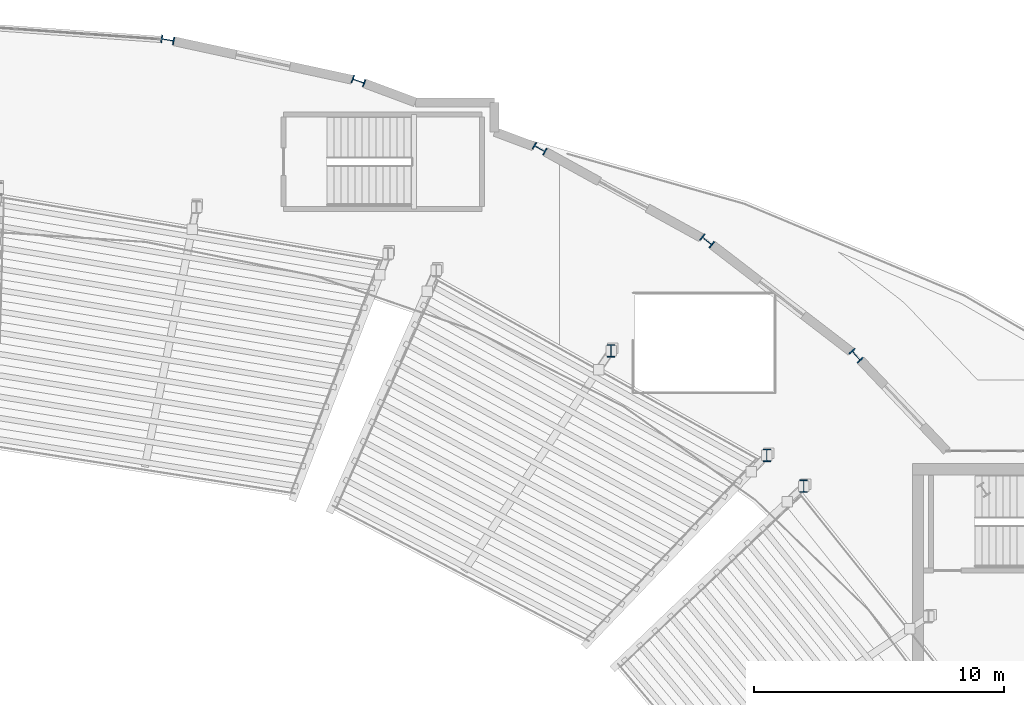
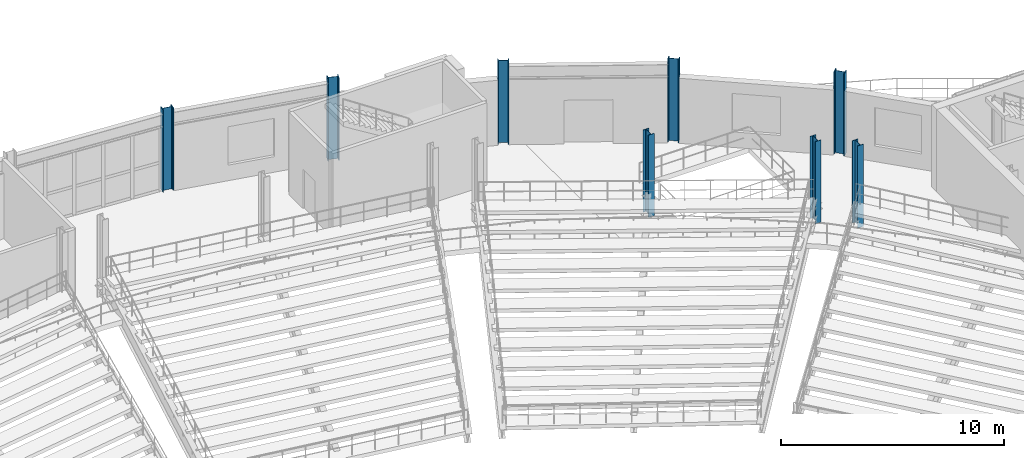
# One storey, part 13 of 81: 8 columns.
"""IFC4 building model written with IfcOpenShell, lengths in metres."""

from ifc_helpers import new_model, si_unit, direction, frame, origin, origin_2d, place, context, subcontext, project, spatial, i_section, extrude, material, material_profile, profile_set, type_object, element, save


model = new_model("IFC4")

# Units and contexts
model_context = context("Model", 3, precision=1e-05, world=origin(), true_north=direction((0.0, 1.0)))
body_context = subcontext(model_context, "Body", "Model", "MODEL_VIEW")
ifc_project = project(units=[si_unit("LENGTHUNIT", "METRE"), si_unit("AREAUNIT", "SQUARE_METRE"), si_unit("VOLUMEUNIT", "CUBIC_METRE"), si_unit("PLANEANGLEUNIT", "RADIAN"), si_unit("MASSUNIT", "GRAM", prefix="KILO")], contexts=[model_context])

# Site, building, storey
site_placement = place(None, origin())
site = spatial("IfcSite", under=ifc_project, at=site_placement, CompositionType="ELEMENT")
building_placement = place(site_placement, origin())
building = spatial("IfcBuilding", under=site, at=building_placement, Name="Glasvene Arena", CompositionType="ELEMENT")
storey_placement = place(building_placement, frame((0.0, 0.0, 15.0)))
storey = spatial("IfcBuildingStorey", under=building, at=storey_placement, Name="L03", CompositionType="ELEMENT", Elevation=15.0)

# Columns
ifc_material = material(Name="Steel S355J2", Category="steel")
ifc_material_profile_1 = material_profile(ifc_material, i_section(OverallWidth=0.305908203125, OverallDepth=0.52392578125, WebThickness=0.02099609375, FlangeThickness=0.0400390625, FilletRadius=0.027099609375, at=origin_2d()), Name="HEM 500")
ifc_profile_set_1 = profile_set([ifc_material_profile_1], Name="Steel S355J2")
column_type_1 = type_object("IfcColumnType", Name="COL-RING-HEM500", PredefinedType="COLUMN", material=ifc_profile_set_1)
for number, where, z_axis, x_axis, name in (
    (1, (127.355224609375, 104.81982421875, 0.0), (0.0, 0.0, 1.0), (0.74326159948, 0.669000892928, 0.0), "Bowl ring column R06 L03"),
    (2, (121.389404296875, 109.40576171875, 0.0), (0.0, 0.0, 1.0), (0.628098877137, 0.778133536444, 0.0), "Bowl ring column R07 L03"),
    (3, (114.699462890625, 113.09521484375, 0.0), (0.0, 0.0, 1.0), (0.492727341548, 0.87018375467, 0.0), "Bowl ring column R08 L03"),
    (4, (107.45068359375, 115.797607421875, 0.0), (0.0, 0.0, 1.0), (0.339558864524, 0.94058480613, 0.0), "Bowl ring column R09 L03"),
    (5, (99.82177734375, 117.446044921875, 0.0), (0.0, 0.0, 1.0), (0.173304404339, 0.984868307662, 0.0), "Bowl ring column R10 L03"),
):
    element("IfcColumn", number, at=place(storey_placement, frame(where, z_axis=z_axis, x_axis=x_axis)), inside=storey, type_object=column_type_1, Name=name, PredefinedType="COLUMN", context=body_context, shape_type="SweptSolid", body=[
        extrude(i_section(OverallWidth=0.305908203125, OverallDepth=0.52392578125, WebThickness=0.02099609375, FlangeThickness=0.0400390625, FilletRadius=0.027099609375, at=origin_2d()), origin(), (0.0, 0.0, 1.0), 4.5),
    ])
ifc_material_profile_2 = material_profile(ifc_material, i_section(OverallWidth=0.300048828125, OverallDepth=0.5, WebThickness=0.014404296875, FlangeThickness=0.028076171875, FilletRadius=0.027099609375, at=origin_2d()), Name="HEB 500")
ifc_profile_set_2 = profile_set([ifc_material_profile_2], Name="Steel S355J2")
column_type_2 = type_object("IfcColumnType", Name="COL-W-HEB500", PredefinedType="COLUMN", material=ifc_profile_set_2)
for number, where, z_axis, x_axis, name in (
    (6, (125.256591796875, 99.59912109375, 0.0), (0.0, 0.0, 1.0), (1.0, 0.0, 0.0), "Upper raker rear column L03 02-2"),
    (7, (123.780517578125, 100.834228515625, 0.0), (0.0, 0.0, 1.0), (1.0, 0.0, 0.0), "Upper raker rear column L03 03-1"),
    (8, (117.55615234375, 105.01171875, 0.0), (0.0, 0.0, 1.0), (1.0, 0.0, 0.0), "Mid-sector rear raker column L03 03"),
):
    element("IfcColumn", number, at=place(storey_placement, frame(where, z_axis=z_axis, x_axis=x_axis)), inside=storey, type_object=column_type_2, Name=name, PredefinedType="COLUMN", context=body_context, shape_type="SweptSolid", body=[
        extrude(i_section(OverallWidth=0.300048828125, OverallDepth=0.5, WebThickness=0.014404296875, FlangeThickness=0.028076171875, FilletRadius=0.027099609375, at=origin_2d()), origin(), (0.0, 0.0, 1.0), 4.5),
    ])

save(model, "model.ifc")
